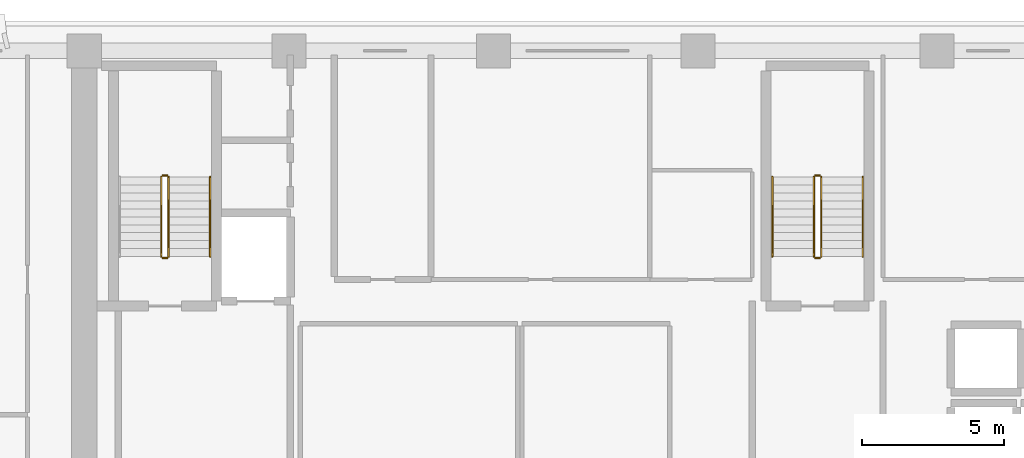
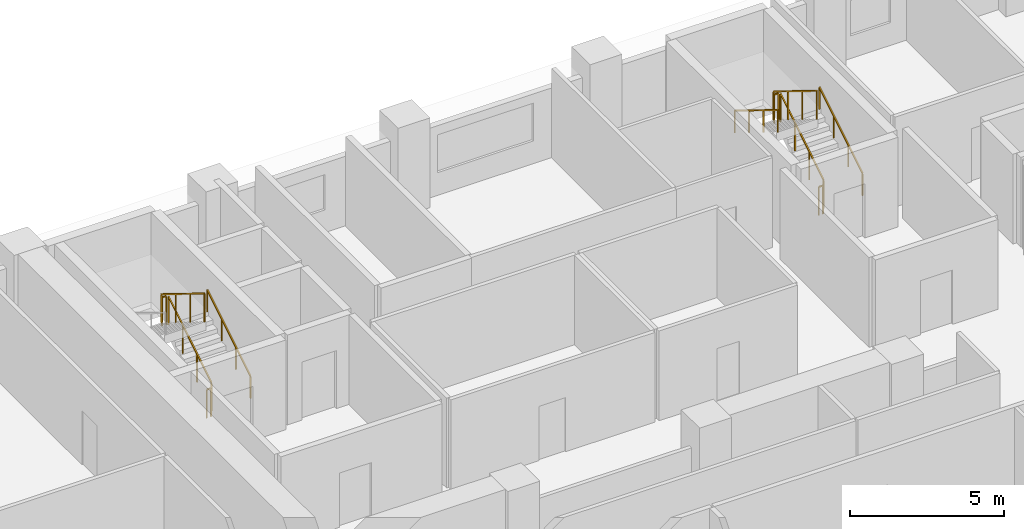
# One storey, part 12 of 14: 11 railings.
"""IFC4 building model written with IfcOpenShell, lengths in metres."""

from ifc_helpers import new_model, si_unit, direction, frame, origin, origin_2d, place, context, subcontext, project, spatial, rectangle, extrude, material, type_object, element, save


model = new_model("IFC4")

# Units and contexts
model_context = context("Model", 3, precision=1e-05, world=origin(), true_north=direction((0.0, 1.0)))
body_context = subcontext(model_context, "Body", "Model", "MODEL_VIEW")
ifc_project = project(units=[si_unit("LENGTHUNIT", "METRE"), si_unit("AREAUNIT", "SQUARE_METRE"), si_unit("VOLUMEUNIT", "CUBIC_METRE"), si_unit("PLANEANGLEUNIT", "RADIAN"), si_unit("MASSUNIT", "GRAM", prefix="KILO")], contexts=[model_context])

# Site, building, storey
site_placement = place(None, origin())
site = spatial("IfcSite", under=ifc_project, at=site_placement, CompositionType="ELEMENT")
building_placement = place(site_placement, origin())
building = spatial("IfcBuilding", under=site, at=building_placement, Name="Kaelvorn Grand Hotel", CompositionType="ELEMENT")
storey_placement = place(building_placement, frame((0.0, 0.0, 220.550048828125)))
storey = spatial("IfcBuildingStorey", under=building, at=storey_placement, Name="L54", CompositionType="ELEMENT", Elevation=220.550048828125)

# Railings
ifc_material = material(Name="Stainless Steel", Category="steel")
railing_type_1 = type_object("IfcRailingType", Name="RL-HANDRAIL-900", PredefinedType="HANDRAIL", material=ifc_material)
for number, where, name in (
    (1, (20.6298828125, 41.760009765625, 0.172607421875), "L54 ST1 stair handrail 1"),
    (2, (43.590087890625, 41.760009765625, 0.172607421875), "L54 ST2 stair handrail 1"),
):
    element("IfcRailing", number, at=place(storey_placement, frame(where)), inside=storey, type_object=railing_type_1, Name=name, PredefinedType="HANDRAIL", context=body_context, shape_type="SweptSolid", body=[
        extrude(rectangle(XDim=0.048095703125, YDim=0.048095703125, at=origin_2d()), frame((0.0, 0.0, 0.8759765625), z_axis=(0.0, 0.851089632645, 0.525020415988), x_axis=(-1.0, 0.0, 0.0)), (0.0, 0.0, 1.0), 3.2900390625),
        extrude(rectangle(XDim=0.0419921875, YDim=0.0419921875, at=origin_2d()), origin(), (0.0, 0.0, 1.0), 0.851806640625),
        extrude(rectangle(XDim=0.0419921875, YDim=0.0419921875, at=origin_2d()), frame((0.0, 0.933349609375, 0.57568359375)), (0.0, 0.0, 1.0), 0.851806640625),
        extrude(rectangle(XDim=0.0419921875, YDim=0.0419921875, at=origin_2d()), frame((0.0, 1.86669921875, 1.151611328125)), (0.0, 0.0, 1.0), 0.851806640625),
        extrude(rectangle(XDim=0.0419921875, YDim=0.0419921875, at=origin_2d()), frame((0.0, 2.800048828125, 1.727294921875)), (0.0, 0.0, 1.0), 0.851806640625),
    ])
railing_1_placement = place(storey_placement, frame((40.409912109375, 44.56005859375, 2.07275390625)))
element("IfcRailing", 3, at=railing_1_placement, inside=storey, type_object=railing_type_1, Name="L54 ST2 stair handrail 2", PredefinedType="HANDRAIL", context=body_context, shape_type="SweptSolid", body=[
    extrude(rectangle(XDim=0.048095703125, YDim=0.048095703125, at=origin_2d()), frame((0.0, 0.0, 0.8759765625), z_axis=(0.0, -0.851089632645, 0.525020415988), x_axis=(1.0, 0.0, 0.0)), (0.0, 0.0, 1.0), 3.2900390625),
    extrude(rectangle(XDim=0.0419921875, YDim=0.0419921875, at=origin_2d()), origin(), (0.0, 0.0, 1.0), 0.851806640625),
    extrude(rectangle(XDim=0.0419921875, YDim=0.0419921875, at=origin_2d()), frame((0.0, -0.933349609375, 0.57568359375)), (0.0, 0.0, 1.0), 0.851806640625),
    extrude(rectangle(XDim=0.0419921875, YDim=0.0419921875, at=origin_2d()), frame((0.0, -1.86669921875, 1.151611328125)), (0.0, 0.0, 1.0), 0.851806640625),
    extrude(rectangle(XDim=0.0419921875, YDim=0.0419921875, at=origin_2d()), frame((0.0, -2.800048828125, 1.727294921875)), (0.0, 0.0, 1.0), 0.851806640625),
])
railing_type_2 = type_object("IfcRailingType", Name="RL-STAIR-GUARD-1150", PredefinedType="BALUSTRADE", material=ifc_material)
railing_2_placement = place(storey_placement, frame((19.169921875, 41.760009765625, 0.172607421875)))
element("IfcRailing", 4, at=railing_2_placement, inside=storey, type_object=railing_type_2, Name="L54 ST1 stair guard 1", PredefinedType="BALUSTRADE", context=body_context, shape_type="SweptSolid", body=[
    extrude(rectangle(XDim=0.048095703125, YDim=0.048095703125, at=origin_2d()), frame((0.0, 0.0, 1.1259765625), z_axis=(0.0, 0.851089632645, 0.525020415988), x_axis=(-1.0, 0.0, 0.0)), (0.0, 0.0, 1.0), 3.2900390625),
    extrude(rectangle(XDim=0.0419921875, YDim=0.0419921875, at=origin_2d()), origin(), (0.0, 0.0, 1.0), 1.101806640625),
    extrude(rectangle(XDim=0.0419921875, YDim=0.0419921875, at=origin_2d()), frame((0.0, 0.933349609375, 0.57568359375)), (0.0, 0.0, 1.0), 1.101806640625),
    extrude(rectangle(XDim=0.0419921875, YDim=0.0419921875, at=origin_2d()), frame((0.0, 1.86669921875, 1.151611328125)), (0.0, 0.0, 1.0), 1.101806640625),
    extrude(rectangle(XDim=0.0419921875, YDim=0.0419921875, at=origin_2d()), frame((0.0, 2.800048828125, 1.727294921875)), (0.0, 0.0, 1.0), 1.101806640625),
])
railing_3_placement = place(storey_placement, frame((19.1201171875, 44.610107421875, 1.89990234375)))
element("IfcRailing", 5, at=railing_3_placement, inside=storey, type_object=railing_type_2, Name="L54 ST1 stair guard 2", PredefinedType="BALUSTRADE", context=body_context, shape_type="SweptSolid", body=[
    extrude(rectangle(XDim=0.048095703125, YDim=0.048095703125, at=origin_2d()), frame((0.0, 0.0, 1.1259765625), z_axis=(-1.0, 0.0, 0.0), x_axis=(0.0, -1.0, 0.0)), (0.0, 0.0, 1.0), 0.16015625),
    extrude(rectangle(XDim=0.0419921875, YDim=0.0419921875, at=origin_2d()), origin(), (0.0, 0.0, 1.0), 1.101806640625),
    extrude(rectangle(XDim=0.0419921875, YDim=0.0419921875, at=origin_2d()), frame((-0.16015625, 0.0, 0.0)), (0.0, 0.0, 1.0), 1.101806640625),
])
railing_4_placement = place(storey_placement, frame((18.909912109375, 44.56005859375, 2.07275390625)))
element("IfcRailing", 6, at=railing_4_placement, inside=storey, type_object=railing_type_2, Name="L54 ST1 stair guard 3", PredefinedType="BALUSTRADE", context=body_context, shape_type="SweptSolid", body=[
    extrude(rectangle(XDim=0.048095703125, YDim=0.048095703125, at=origin_2d()), frame((0.0, 0.0, 1.1259765625), z_axis=(0.0, -0.851089632645, 0.525020415988), x_axis=(1.0, 0.0, 0.0)), (0.0, 0.0, 1.0), 3.2900390625),
    extrude(rectangle(XDim=0.0419921875, YDim=0.0419921875, at=origin_2d()), origin(), (0.0, 0.0, 1.0), 1.101806640625),
    extrude(rectangle(XDim=0.0419921875, YDim=0.0419921875, at=origin_2d()), frame((0.0, -0.933349609375, 0.57568359375)), (0.0, 0.0, 1.0), 1.101806640625),
    extrude(rectangle(XDim=0.0419921875, YDim=0.0419921875, at=origin_2d()), frame((0.0, -1.86669921875, 1.151611328125)), (0.0, 0.0, 1.0), 1.101806640625),
    extrude(rectangle(XDim=0.0419921875, YDim=0.0419921875, at=origin_2d()), frame((0.0, -2.800048828125, 1.727294921875)), (0.0, 0.0, 1.0), 1.101806640625),
])
railing_5_placement = place(storey_placement, frame((19.1201171875, 41.7099609375, 0.0)))
element("IfcRailing", 7, at=railing_5_placement, inside=storey, type_object=railing_type_2, Name="L54 ST1 stair guard 4", PredefinedType="BALUSTRADE", context=body_context, shape_type="SweptSolid", body=[
    extrude(rectangle(XDim=0.048095703125, YDim=0.048095703125, at=origin_2d()), frame((0.0, 0.0, 1.1259765625), z_axis=(-1.0, 0.0, 0.0), x_axis=(0.0, -1.0, 0.0)), (0.0, 0.0, 1.0), 0.16015625),
    extrude(rectangle(XDim=0.0419921875, YDim=0.0419921875, at=origin_2d()), origin(), (0.0, 0.0, 1.0), 1.101806640625),
    extrude(rectangle(XDim=0.0419921875, YDim=0.0419921875, at=origin_2d()), frame((-0.16015625, 0.0, 0.0)), (0.0, 0.0, 1.0), 1.101806640625),
])
railing_6_placement = place(storey_placement, frame((42.1298828125, 41.760009765625, 0.172607421875)))
element("IfcRailing", 8, at=railing_6_placement, inside=storey, type_object=railing_type_2, Name="L54 ST2 stair guard 1", PredefinedType="BALUSTRADE", context=body_context, shape_type="SweptSolid", body=[
    extrude(rectangle(XDim=0.048095703125, YDim=0.048095703125, at=origin_2d()), frame((0.0, 0.0, 1.1259765625), z_axis=(0.0, 0.851089632645, 0.525020415988), x_axis=(-1.0, 0.0, 0.0)), (0.0, 0.0, 1.0), 3.2900390625),
    extrude(rectangle(XDim=0.0419921875, YDim=0.0419921875, at=origin_2d()), origin(), (0.0, 0.0, 1.0), 1.101806640625),
    extrude(rectangle(XDim=0.0419921875, YDim=0.0419921875, at=origin_2d()), frame((0.0, 0.933349609375, 0.57568359375)), (0.0, 0.0, 1.0), 1.101806640625),
    extrude(rectangle(XDim=0.0419921875, YDim=0.0419921875, at=origin_2d()), frame((0.0, 1.86669921875, 1.151611328125)), (0.0, 0.0, 1.0), 1.101806640625),
    extrude(rectangle(XDim=0.0419921875, YDim=0.0419921875, at=origin_2d()), frame((0.0, 2.800048828125, 1.727294921875)), (0.0, 0.0, 1.0), 1.101806640625),
])
railing_7_placement = place(storey_placement, frame((42.080078125, 44.610107421875, 1.89990234375)))
element("IfcRailing", 9, at=railing_7_placement, inside=storey, type_object=railing_type_2, Name="L54 ST2 stair guard 2", PredefinedType="BALUSTRADE", context=body_context, shape_type="SweptSolid", body=[
    extrude(rectangle(XDim=0.048095703125, YDim=0.048095703125, at=origin_2d()), frame((0.0, 0.0, 1.1259765625), z_axis=(-1.0, 0.0, 0.0), x_axis=(0.0, -1.0, 0.0)), (0.0, 0.0, 1.0), 0.16015625),
    extrude(rectangle(XDim=0.0419921875, YDim=0.0419921875, at=origin_2d()), origin(), (0.0, 0.0, 1.0), 1.101806640625),
    extrude(rectangle(XDim=0.0419921875, YDim=0.0419921875, at=origin_2d()), frame((-0.16015625, 0.0, 0.0)), (0.0, 0.0, 1.0), 1.101806640625),
])
railing_8_placement = place(storey_placement, frame((41.8701171875, 44.56005859375, 2.07275390625)))
element("IfcRailing", 10, at=railing_8_placement, inside=storey, type_object=railing_type_2, Name="L54 ST2 stair guard 3", PredefinedType="BALUSTRADE", context=body_context, shape_type="SweptSolid", body=[
    extrude(rectangle(XDim=0.048095703125, YDim=0.048095703125, at=origin_2d()), frame((0.0, 0.0, 1.1259765625), z_axis=(0.0, -0.851089632645, 0.525020415988), x_axis=(1.0, 0.0, 0.0)), (0.0, 0.0, 1.0), 3.2900390625),
    extrude(rectangle(XDim=0.0419921875, YDim=0.0419921875, at=origin_2d()), origin(), (0.0, 0.0, 1.0), 1.101806640625),
    extrude(rectangle(XDim=0.0419921875, YDim=0.0419921875, at=origin_2d()), frame((0.0, -0.933349609375, 0.57568359375)), (0.0, 0.0, 1.0), 1.101806640625),
    extrude(rectangle(XDim=0.0419921875, YDim=0.0419921875, at=origin_2d()), frame((0.0, -1.86669921875, 1.151611328125)), (0.0, 0.0, 1.0), 1.101806640625),
    extrude(rectangle(XDim=0.0419921875, YDim=0.0419921875, at=origin_2d()), frame((0.0, -2.800048828125, 1.727294921875)), (0.0, 0.0, 1.0), 1.101806640625),
])
railing_9_placement = place(storey_placement, frame((42.080078125, 41.7099609375, 0.0)))
element("IfcRailing", 11, at=railing_9_placement, inside=storey, type_object=railing_type_2, Name="L54 ST2 stair guard 4", PredefinedType="BALUSTRADE", context=body_context, shape_type="SweptSolid", body=[
    extrude(rectangle(XDim=0.048095703125, YDim=0.048095703125, at=origin_2d()), frame((0.0, 0.0, 1.1259765625), z_axis=(-1.0, 0.0, 0.0), x_axis=(0.0, -1.0, 0.0)), (0.0, 0.0, 1.0), 0.16015625),
    extrude(rectangle(XDim=0.0419921875, YDim=0.0419921875, at=origin_2d()), origin(), (0.0, 0.0, 1.0), 1.101806640625),
    extrude(rectangle(XDim=0.0419921875, YDim=0.0419921875, at=origin_2d()), frame((-0.16015625, 0.0, 0.0)), (0.0, 0.0, 1.0), 1.101806640625),
])

save(model, "model.ifc")
